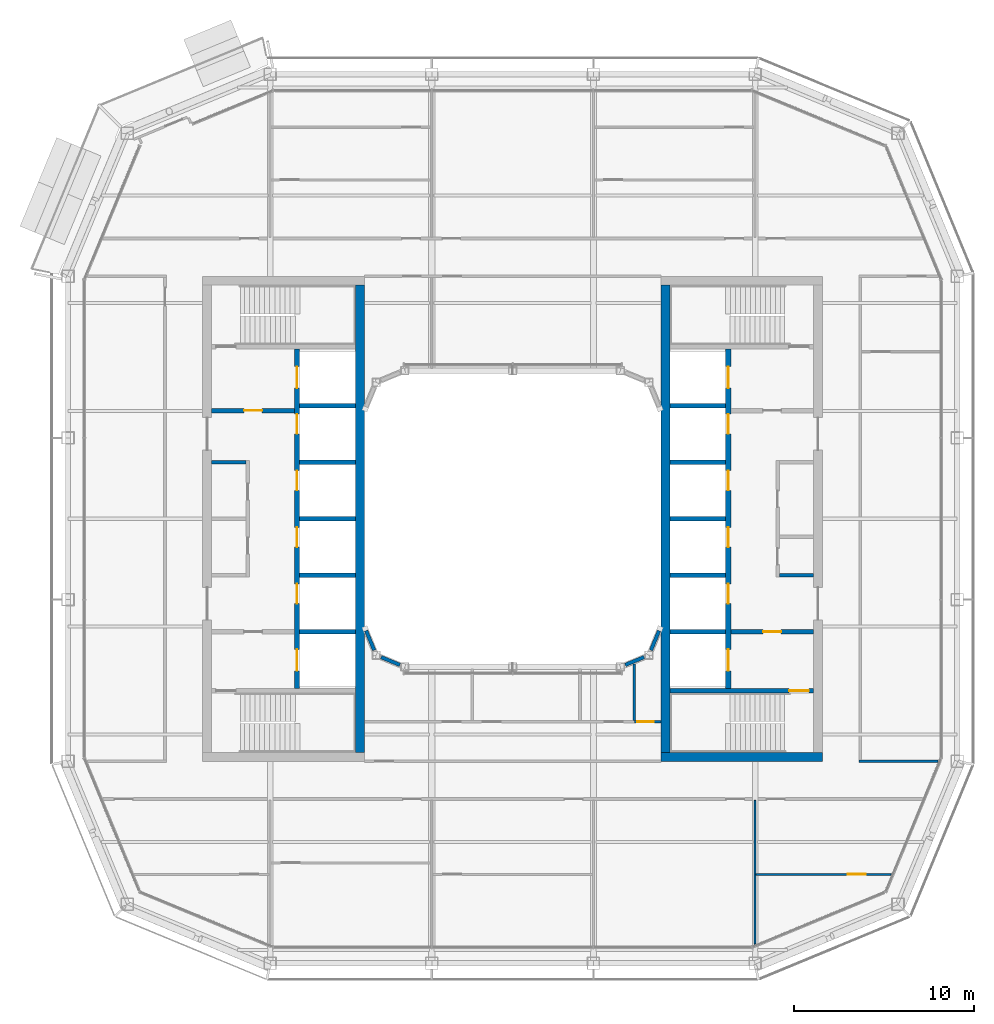
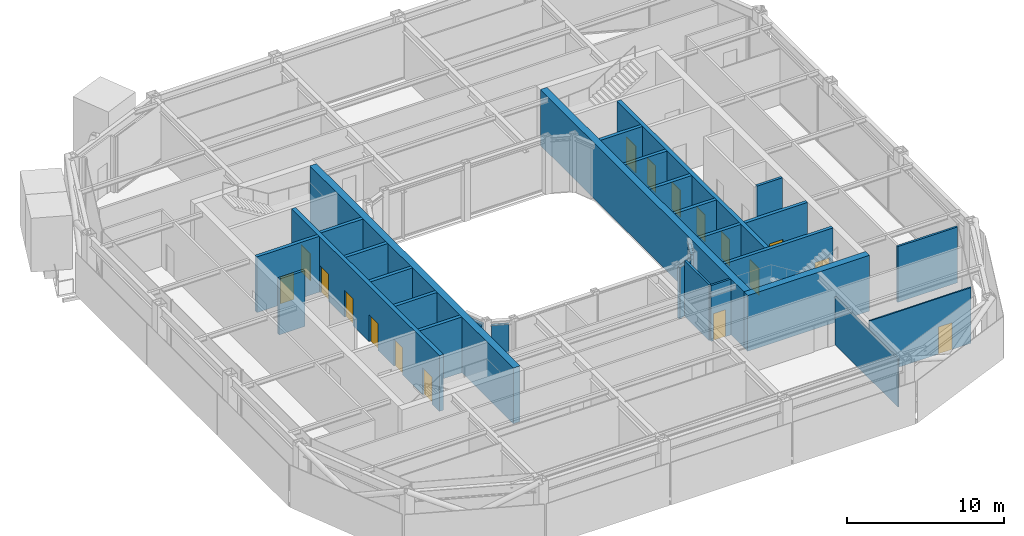
# One storey, part 13 of 22: 29 walls, 17 doors, 17 openings.
"""IFC4 building model written with IfcOpenShell, lengths in metres."""

from ifc_helpers import new_model, si_unit, direction, frame, frame_2d, origin, place, context, subcontext, project, spatial, rectangle, extrude, material, layer, layer_set, type_object, element, fill, save


model = new_model("IFC4")

# Units and contexts
model_context = context("Model", 3, precision=1e-05, world=origin(), true_north=direction((0.0, 1.0)))
body_context = subcontext(model_context, "Body", "Model", "MODEL_VIEW")
ifc_project = project(units=[si_unit("LENGTHUNIT", "METRE"), si_unit("AREAUNIT", "SQUARE_METRE"), si_unit("VOLUMEUNIT", "CUBIC_METRE"), si_unit("PLANEANGLEUNIT", "RADIAN"), si_unit("MASSUNIT", "GRAM", prefix="KILO")], contexts=[model_context])

# Site, building, storey
site_placement = place(None, origin())
site = spatial("IfcSite", under=ifc_project, at=site_placement, CompositionType="ELEMENT")
building_placement = place(site_placement, origin())
building = spatial("IfcBuilding", under=site, at=building_placement, Name="Siwar Civic Tower", CompositionType="ELEMENT")
storey_placement = place(building_placement, frame((0.0, 0.0, 330.199951171875)))
storey = spatial("IfcBuildingStorey", under=building, at=storey_placement, Name="L71", CompositionType="ELEMENT", Elevation=330.199951171875)

# Wall, opening, door
ifc_material_1 = material(Name="Gypsum board on steel studs", Category="steel")
ifc_layer_1 = layer(ifc_material_1, 0.14990234375)
ifc_layer_set_1 = layer_set([ifc_layer_1], Name="Gypsum board on steel studs")
wall_type_1 = type_object("IfcWallType", Name="COMPARTMENT PARTITION 150 EI 60", PredefinedType="PARTITIONING", material=ifc_layer_set_1)
wall_1_placement = place(storey_placement, frame((6.780029296875, -11.300048828125, 0.0), z_axis=(0.0, 0.0, 1.0), x_axis=(1.0, 0.0, 0.0)))
wall_1 = element("IfcWall", 1, at=wall_1_placement, inside=storey, type_object=wall_type_1, Name="L71/wall/P10", PredefinedType="PARTITIONING", context=body_context, shape_type="SweptSolid", body=[
    extrude(rectangle(XDim=1.469970703125, YDim=0.14990234375, at=frame_2d((0.73486328125, 0.0))), origin(), (0.0, 0.0, 1.0), 4.35009765625),
])
opening_1_placement = place(wall_1_placement, frame((0.169921875, 0.0, 0.0)))
opening_1 = element("IfcOpeningElement", 2, at=opening_1_placement, cuts=wall_1, Name="Opening D4", PredefinedType="OPENING", context=body_context, shape_type="SweptSolid", body=[
    extrude(rectangle(XDim=0.89990234375, YDim=2.10009765625, at=frame_2d((0.449951171875, 1.050048828125))), frame((0.0, 0.0849609375, 0.0), z_axis=(0.0, -1.0, 0.0), x_axis=(1.0, 0.0, 0.0)), (0.0, 0.0, 1.0), 0.169921875),
])
ifc_material_2 = material(Name="Timber, painted", Category="wood")
door_type_1 = type_object("IfcDoorType", Name="DOOR 900 X 2100 FD60", OperationType="SINGLE_SWING_LEFT", PredefinedType="DOOR", material=ifc_material_2)
door_1_placement = place(opening_1_placement, origin())
door_1 = element("IfcDoor", 3, at=door_1_placement, inside=storey, type_object=door_type_1, Name="L71-D28", OperationType="SINGLE_SWING_RIGHT", OverallHeight=2.10009765625, OverallWidth=0.89990234375, PredefinedType="DOOR", context=body_context, shape_type="SweptSolid", body=[
    extrude(rectangle(XDim=0.89990234375, YDim=2.10009765625, at=frame_2d((0.449951171875, 1.050048828125))), frame((0.0, 0.02490234375, 0.0), z_axis=(0.0, -1.0, 0.0), x_axis=(1.0, 0.0, 0.0)), (0.0, 0.0, 1.0), 0.050048828125),
])
fill(opening_1, door_1)

# Walls
wall_2_placement = place(storey_placement, frame((6.780029296875, -11.22509765625, 0.0), z_axis=(0.0, 0.0, 1.0), x_axis=(0.0, 1.0, 0.0)))
element("IfcWall", 4, at=wall_2_placement, inside=storey, type_object=wall_type_1, Name="L71/wall/P30", PredefinedType="PARTITIONING", context=body_context, shape_type="SweptSolid", body=[
    extrude(rectangle(XDim=3.13818359375, YDim=0.14990234375, at=frame_2d((1.569091796875, 0.0))), origin(), (0.0, 0.0, 1.0), 4.35009765625),
])
ifc_material_3 = material(Name="Gypsum board on steel studs", Category="steel")
ifc_layer_2 = layer(ifc_material_3, 0.199951171875)
ifc_layer_set_2 = layer_set([ifc_layer_2], Name="Gypsum board on steel studs")
wall_type_2 = type_object("IfcWallType", Name="CORE-PARTITION-200", PredefinedType="PARTITIONING", material=ifc_layer_set_2)
for number, where, z_axis, x_axis, name in (
    (5, (-14.85009765625, 3.14990234375, 0.0), (0.0, 0.0, 1.0), (-1.0, 0.0, 0.0), "Core partition W"),
    (6, (14.85009765625, -3.14990234375, 0.0), (0.0, 0.0, 1.0), (1.0, 0.0, 0.0), "Core partition E"),
):
    element("IfcWall", number, at=place(storey_placement, frame(where, z_axis=z_axis, x_axis=x_axis)), inside=storey, type_object=wall_type_2, Name=name, PredefinedType="PARTITIONING", context=body_context, shape_type="SweptSolid", body=[
        extrude(rectangle(XDim=1.89990234375, YDim=0.199951171875, at=frame_2d((0.949951171875, 0.0))), origin(), (0.0, 0.0, 1.0), 4.35009765625),
    ])

# Wall, opening, door
ifc_material_4 = material(Name="Concrete C60/75", Category="concrete")
ifc_layer_3 = layer(ifc_material_4, 0.25)
ifc_layer_set_3 = layer_set([ifc_layer_3], Name="Concrete C60/75")
wall_type_3 = type_object("IfcWallType", Name="CORE-WALL-RC250", PredefinedType="SHEAR", material=ifc_layer_set_3)
wall_3_placement = place(storey_placement, frame((-12.14990234375, 6.02490234375, 0.0), z_axis=(0.0, 0.0, 1.0), x_axis=(-1.0, 0.0, 0.0)))
wall_3 = element("IfcWall", 7, at=wall_3_placement, inside=storey, type_object=wall_type_3, Name="Core wall W", PredefinedType="SHEAR", context=body_context, shape_type="SweptSolid", body=[
    extrude(rectangle(XDim=4.60009765625, YDim=0.25, at=frame_2d((2.300048828125, 0.0))), origin(), (0.0, 0.0, 1.0), 4.35009765625),
])
opening_2_placement = place(wall_3_placement, frame((1.800048828125, 0.0, 0.0)))
opening_2 = element("IfcOpeningElement", 8, at=opening_2_placement, cuts=wall_3, Name="Opening L71-CW01", PredefinedType="OPENING", context=body_context, shape_type="SweptSolid", body=[
    extrude(rectangle(XDim=1.0, YDim=2.10009765625, at=frame_2d((0.5, 1.050048828125))), frame((0.0, 0.135009765625, 0.0), z_axis=(0.0, -1.0, 0.0), x_axis=(1.0, 0.0, 0.0)), (0.0, 0.0, 1.0), 0.27001953125),
])
ifc_material_5 = material(Name="Steel door leaf", Category="steel")
door_type_2 = type_object("IfcDoorType", Name="CORE-DOOR-FD30S", OperationType="SINGLE_SWING_LEFT", PredefinedType="DOOR", material=ifc_material_5)
door_2_placement = place(opening_2_placement, origin())
door_2 = element("IfcDoor", 9, at=door_2_placement, inside=storey, type_object=door_type_2, Name="Firefighting lobby door L71-CW01", OperationType="SINGLE_SWING_LEFT", OverallHeight=2.10009765625, OverallWidth=1.0, PredefinedType="DOOR", context=body_context, shape_type="SweptSolid", body=[
    extrude(rectangle(XDim=1.0, YDim=2.10009765625, at=frame_2d((0.5, 1.050048828125))), frame((0.0, 0.02490234375, 0.0), z_axis=(0.0, -1.0, 0.0), x_axis=(1.0, 0.0, 0.0)), (0.0, 0.0, 1.0), 0.050048828125),
])
fill(opening_2, door_2)

# Walls
for number, where, z_axis, x_axis, name in (
    (10, (-8.75, 0.0, 0.0), (0.0, 0.0, 1.0), (-1.0, 0.0, 0.0), "Core wall W"),
    (11, (-8.75, 3.14990234375, 0.0), (0.0, 0.0, 1.0), (-1.0, 0.0, 0.0), "Core wall W"),
    (12, (-8.75, 6.300048828125, 0.0), (0.0, 0.0, 1.0), (-1.0, 0.0, 0.0), "Core wall W"),
    (13, (-8.75, -3.14990234375, 0.0), (0.0, 0.0, 1.0), (-1.0, 0.0, 0.0), "Core wall W"),
    (14, (-8.75, -6.300048828125, 0.0), (0.0, 0.0, 1.0), (-1.0, 0.0, 0.0), "Core wall W"),
):
    element("IfcWall", number, at=place(storey_placement, frame(where, z_axis=z_axis, x_axis=x_axis)), inside=storey, type_object=wall_type_3, Name=name, PredefinedType="SHEAR", context=body_context, shape_type="SweptSolid", body=[
        extrude(rectangle(XDim=3.10009765625, YDim=0.25, at=frame_2d((1.550048828125, 0.0))), origin(), (0.0, 0.0, 1.0), 4.35009765625),
    ])

# Wall, opening, door
wall_4_placement = place(storey_placement, frame((12.14990234375, -6.300048828125, 0.0), z_axis=(0.0, 0.0, 1.0), x_axis=(1.0, 0.0, 0.0)))
wall_4 = element("IfcWall", 15, at=wall_4_placement, inside=storey, type_object=wall_type_3, Name="Core wall E", PredefinedType="SHEAR", context=body_context, shape_type="SweptSolid", body=[
    extrude(rectangle(XDim=4.60009765625, YDim=0.25, at=frame_2d((2.300048828125, 0.0))), origin(), (0.0, 0.0, 1.0), 4.35009765625),
])
opening_3_placement = place(wall_4_placement, frame((1.800048828125, 0.0, 0.0)))
opening_3 = element("IfcOpeningElement", 16, at=opening_3_placement, cuts=wall_4, Name="Opening L71-CE02", PredefinedType="OPENING", context=body_context, shape_type="SweptSolid", body=[
    extrude(rectangle(XDim=1.0, YDim=2.10009765625, at=frame_2d((0.5, 1.050048828125))), frame((0.0, 0.135009765625, 0.0), z_axis=(0.0, -1.0, 0.0), x_axis=(1.0, 0.0, 0.0)), (0.0, 0.0, 1.0), 0.27001953125),
])
door_3_placement = place(opening_3_placement, origin())
door_3 = element("IfcDoor", 17, at=door_3_placement, inside=storey, type_object=door_type_2, Name="Service lobby door L71-CE02", OperationType="SINGLE_SWING_LEFT", OverallHeight=2.10009765625, OverallWidth=1.0, PredefinedType="DOOR", context=body_context, shape_type="SweptSolid", body=[
    extrude(rectangle(XDim=1.0, YDim=2.10009765625, at=frame_2d((0.5, 1.050048828125))), frame((0.0, 0.02490234375, 0.0), z_axis=(0.0, -1.0, 0.0), x_axis=(1.0, 0.0, 0.0)), (0.0, 0.0, 1.0), 0.050048828125),
])
fill(opening_3, door_3)

# Walls
for number, where, z_axis, x_axis, name in (
    (18, (8.75, 0.0, 0.0), (0.0, 0.0, 1.0), (1.0, 0.0, 0.0), "Core wall E"),
    (19, (8.75, 3.14990234375, 0.0), (0.0, 0.0, 1.0), (1.0, 0.0, 0.0), "Core wall E"),
    (20, (8.75, 6.300048828125, 0.0), (0.0, 0.0, 1.0), (1.0, 0.0, 0.0), "Core wall E"),
    (21, (8.75, -3.14990234375, 0.0), (0.0, 0.0, 1.0), (1.0, 0.0, 0.0), "Core wall E"),
    (22, (8.75, -6.300048828125, 0.0), (0.0, 0.0, 1.0), (1.0, 0.0, 0.0), "Core wall E"),
):
    element("IfcWall", number, at=place(storey_placement, frame(where, z_axis=z_axis, x_axis=x_axis)), inside=storey, type_object=wall_type_3, Name=name, PredefinedType="SHEAR", context=body_context, shape_type="SweptSolid", body=[
        extrude(rectangle(XDim=3.10009765625, YDim=0.25, at=frame_2d((1.550048828125, 0.0))), origin(), (0.0, 0.0, 1.0), 4.35009765625),
    ])

# Wall, opening, door
wall_5_placement = place(storey_placement, frame((8.75, -9.574951171875, 0.0), z_axis=(0.0, 0.0, 1.0), x_axis=(1.0, 0.0, 0.0)))
wall_5 = element("IfcWall", 23, at=wall_5_placement, inside=storey, type_object=wall_type_3, Name="Core wall E", PredefinedType="SHEAR", context=body_context, shape_type="SweptSolid", body=[
    extrude(rectangle(XDim=8.0, YDim=0.25, at=frame_2d((4.0, 0.0))), origin(), (0.0, 0.0, 1.0), 4.35009765625),
])
opening_4_placement = place(wall_5_placement, frame((6.64990234375, 0.0, 0.0)))
opening_4 = element("IfcOpeningElement", 24, at=opening_4_placement, cuts=wall_5, Name="Opening L71-CE04", PredefinedType="OPENING", context=body_context, shape_type="SweptSolid", body=[
    extrude(rectangle(XDim=1.10009765625, YDim=2.10009765625, at=frame_2d((0.550048828125, 1.050048828125))), frame((0.0, 0.135009765625, 0.0), z_axis=(0.0, -1.0, 0.0), x_axis=(1.0, 0.0, 0.0)), (0.0, 0.0, 1.0), 0.27001953125),
])
ifc_material_6 = material(Name="Steel door leaf", Category="steel")
door_type_3 = type_object("IfcDoorType", Name="CORE-DOOR-FD60S", OperationType="SINGLE_SWING_LEFT", PredefinedType="DOOR", material=ifc_material_6)
door_4_placement = place(opening_4_placement, origin())
door_4 = element("IfcDoor", 25, at=door_4_placement, inside=storey, type_object=door_type_3, Name="Stair door L71-CE04", OperationType="SINGLE_SWING_RIGHT", OverallHeight=2.10009765625, OverallWidth=1.10009765625, PredefinedType="DOOR", context=body_context, shape_type="SweptSolid", body=[
    extrude(rectangle(XDim=1.10009765625, YDim=2.10009765625, at=frame_2d((0.550048828125, 1.050048828125))), frame((0.0, 0.02490234375, 0.0), z_axis=(0.0, -1.0, 0.0), x_axis=(1.0, 0.0, 0.0)), (0.0, 0.0, 1.0), 0.050048828125),
])
fill(opening_4, door_4)

# Wall, openings, doors
ifc_material_7 = material(Name="Concrete C60/75", Category="concrete")
ifc_layer_4 = layer(ifc_material_7, 0.300048828125)
ifc_layer_set_4 = layer_set([ifc_layer_4], Name="Concrete C60/75")
wall_type_4 = type_object("IfcWallType", Name="CORE-WALL-RC300", PredefinedType="SHEAR", material=ifc_layer_set_4)
wall_6_placement = place(storey_placement, frame((-12.0, -9.449951171875, 0.0), z_axis=(0.0, 0.0, 1.0), x_axis=(0.0, 1.0, 0.0)))
wall_6 = element("IfcWall", 26, at=wall_6_placement, inside=storey, type_object=wall_type_4, Name="Core wall W", PredefinedType="SHEAR", context=body_context, shape_type="SweptSolid", body=[
    extrude(rectangle(XDim=18.89990234375, YDim=0.300048828125, at=frame_2d((9.449951171875, 0.0))), origin(), (0.0, 0.0, 1.0), 4.35009765625),
])
opening_5_placement = place(wall_6_placement, frame((4.72509765625, 0.0, 0.0)))
opening_5 = element("IfcOpeningElement", 27, at=opening_5_placement, cuts=wall_6, Name="Opening L71-CW07", PredefinedType="OPENING", context=body_context, shape_type="SweptSolid", body=[
    extrude(rectangle(XDim=1.10009765625, YDim=2.10009765625, at=frame_2d((0.550048828125, 1.050048828125))), frame((0.0, 0.16015625, 0.0), z_axis=(0.0, -1.0, 0.0), x_axis=(1.0, 0.0, 0.0)), (0.0, 0.0, 1.0), 0.320068359375),
])
opening_6_placement = place(wall_6_placement, frame((7.875, 0.0, 0.0)))
opening_6 = element("IfcOpeningElement", 28, at=opening_6_placement, cuts=wall_6, Name="Opening L71-CW08", PredefinedType="OPENING", context=body_context, shape_type="SweptSolid", body=[
    extrude(rectangle(XDim=1.10009765625, YDim=2.10009765625, at=frame_2d((0.550048828125, 1.050048828125))), frame((0.0, 0.16015625, 0.0), z_axis=(0.0, -1.0, 0.0), x_axis=(1.0, 0.0, 0.0)), (0.0, 0.0, 1.0), 0.320068359375),
])
opening_7_placement = place(wall_6_placement, frame((11.02490234375, 0.0, 0.0)))
opening_7 = element("IfcOpeningElement", 29, at=opening_7_placement, cuts=wall_6, Name="Opening L71-CW09", PredefinedType="OPENING", context=body_context, shape_type="SweptSolid", body=[
    extrude(rectangle(XDim=1.10009765625, YDim=2.10009765625, at=frame_2d((0.550048828125, 1.050048828125))), frame((0.0, 0.16015625, 0.0), z_axis=(0.0, -1.0, 0.0), x_axis=(1.0, 0.0, 0.0)), (0.0, 0.0, 1.0), 0.320068359375),
])
opening_8_placement = place(wall_6_placement, frame((14.175048828125, 0.0, 0.0)))
opening_8 = element("IfcOpeningElement", 30, at=opening_8_placement, cuts=wall_6, Name="Opening L71-CW10", PredefinedType="OPENING", context=body_context, shape_type="SweptSolid", body=[
    extrude(rectangle(XDim=1.10009765625, YDim=2.10009765625, at=frame_2d((0.550048828125, 1.050048828125))), frame((0.0, 0.16015625, 0.0), z_axis=(0.0, -1.0, 0.0), x_axis=(1.0, 0.0, 0.0)), (0.0, 0.0, 1.0), 0.320068359375),
])
opening_9_placement = place(wall_6_placement, frame((16.72509765625, 0.0, 0.0)))
opening_9 = element("IfcOpeningElement", 31, at=opening_9_placement, cuts=wall_6, Name="Opening L71-CW11", PredefinedType="OPENING", context=body_context, shape_type="SweptSolid", body=[
    extrude(rectangle(XDim=1.199951171875, YDim=2.10009765625, at=frame_2d((0.60009765625, 1.050048828125))), frame((0.0, 0.16015625, 0.0), z_axis=(0.0, -1.0, 0.0), x_axis=(1.0, 0.0, 0.0)), (0.0, 0.0, 1.0), 0.320068359375),
])
opening_10_placement = place(wall_6_placement, frame((0.97509765625, 0.0, 0.0)))
opening_10 = element("IfcOpeningElement", 32, at=opening_10_placement, cuts=wall_6, Name="Opening L71-CW12", PredefinedType="OPENING", context=body_context, shape_type="SweptSolid", body=[
    extrude(rectangle(XDim=1.199951171875, YDim=2.10009765625, at=frame_2d((0.60009765625, 1.050048828125))), frame((0.0, 0.16015625, 0.0), z_axis=(0.0, -1.0, 0.0), x_axis=(1.0, 0.0, 0.0)), (0.0, 0.0, 1.0), 0.320068359375),
])
ifc_material_8 = material(Name="Steel door leaf", Category="steel")
door_type_4 = type_object("IfcDoorType", Name="CORE-DOOR-LD", OperationType="DOUBLE_DOOR_SLIDING", PredefinedType="DOOR", material=ifc_material_8)
door_5_placement = place(opening_5_placement, origin())
door_5 = element("IfcDoor", 33, at=door_5_placement, inside=storey, type_object=door_type_4, Name="Landing door HR1 L71-CW07", OperationType="DOUBLE_DOOR_SLIDING", OverallHeight=2.10009765625, OverallWidth=1.10009765625, PredefinedType="DOOR", context=body_context, shape_type="SweptSolid", body=[
    extrude(rectangle(XDim=1.10009765625, YDim=2.10009765625, at=frame_2d((0.550048828125, 1.050048828125))), frame((0.0, 0.02490234375, 0.0), z_axis=(0.0, -1.0, 0.0), x_axis=(1.0, 0.0, 0.0)), (0.0, 0.0, 1.0), 0.050048828125),
])
fill(opening_5, door_5)
door_6_placement = place(opening_6_placement, origin())
door_6 = element("IfcDoor", 34, at=door_6_placement, inside=storey, type_object=door_type_4, Name="Landing door HR2 L71-CW08", OperationType="DOUBLE_DOOR_SLIDING", OverallHeight=2.10009765625, OverallWidth=1.10009765625, PredefinedType="DOOR", context=body_context, shape_type="SweptSolid", body=[
    extrude(rectangle(XDim=1.10009765625, YDim=2.10009765625, at=frame_2d((0.550048828125, 1.050048828125))), frame((0.0, 0.02490234375, 0.0), z_axis=(0.0, -1.0, 0.0), x_axis=(1.0, 0.0, 0.0)), (0.0, 0.0, 1.0), 0.050048828125),
])
fill(opening_6, door_6)
door_7_placement = place(opening_7_placement, origin())
door_7 = element("IfcDoor", 35, at=door_7_placement, inside=storey, type_object=door_type_4, Name="Landing door HR3 L71-CW09", OperationType="DOUBLE_DOOR_SLIDING", OverallHeight=2.10009765625, OverallWidth=1.10009765625, PredefinedType="DOOR", context=body_context, shape_type="SweptSolid", body=[
    extrude(rectangle(XDim=1.10009765625, YDim=2.10009765625, at=frame_2d((0.550048828125, 1.050048828125))), frame((0.0, 0.02490234375, 0.0), z_axis=(0.0, -1.0, 0.0), x_axis=(1.0, 0.0, 0.0)), (0.0, 0.0, 1.0), 0.050048828125),
])
fill(opening_7, door_7)
door_8_placement = place(opening_8_placement, origin())
door_8 = element("IfcDoor", 36, at=door_8_placement, inside=storey, type_object=door_type_4, Name="Landing door HR4 L71-CW10", OperationType="DOUBLE_DOOR_SLIDING", OverallHeight=2.10009765625, OverallWidth=1.10009765625, PredefinedType="DOOR", context=body_context, shape_type="SweptSolid", body=[
    extrude(rectangle(XDim=1.10009765625, YDim=2.10009765625, at=frame_2d((0.550048828125, 1.050048828125))), frame((0.0, 0.02490234375, 0.0), z_axis=(0.0, -1.0, 0.0), x_axis=(1.0, 0.0, 0.0)), (0.0, 0.0, 1.0), 0.050048828125),
])
fill(opening_8, door_8)
ifc_material_9 = material(Name="Steel door leaf", Category="steel")
door_type_5 = type_object("IfcDoorType", Name="CORE-DOOR-LDW", OperationType="DOUBLE_DOOR_SLIDING", PredefinedType="DOOR", material=ifc_material_9)
door_9_placement = place(opening_9_placement, origin())
door_9 = element("IfcDoor", 37, at=door_9_placement, inside=storey, type_object=door_type_5, Name="Landing door FF1 L71-CW11", OperationType="DOUBLE_DOOR_SLIDING", OverallHeight=2.10009765625, OverallWidth=1.199951171875, PredefinedType="DOOR", context=body_context, shape_type="SweptSolid", body=[
    extrude(rectangle(XDim=1.199951171875, YDim=2.10009765625, at=frame_2d((0.60009765625, 1.050048828125))), frame((0.0, 0.02490234375, 0.0), z_axis=(0.0, -1.0, 0.0), x_axis=(1.0, 0.0, 0.0)), (0.0, 0.0, 1.0), 0.050048828125),
])
fill(opening_9, door_9)
door_10_placement = place(opening_10_placement, origin())
door_10 = element("IfcDoor", 38, at=door_10_placement, inside=storey, type_object=door_type_5, Name="Landing door SV1 L71-CW12", OperationType="DOUBLE_DOOR_SLIDING", OverallHeight=2.10009765625, OverallWidth=1.199951171875, PredefinedType="DOOR", context=body_context, shape_type="SweptSolid", body=[
    extrude(rectangle(XDim=1.199951171875, YDim=2.10009765625, at=frame_2d((0.60009765625, 1.050048828125))), frame((0.0, 0.02490234375, 0.0), z_axis=(0.0, -1.0, 0.0), x_axis=(1.0, 0.0, 0.0)), (0.0, 0.0, 1.0), 0.050048828125),
])
fill(opening_10, door_10)

wall_7_placement = place(storey_placement, frame((12.0, -9.449951171875, 0.0), z_axis=(0.0, 0.0, 1.0), x_axis=(0.0, 1.0, 0.0)))
wall_7 = element("IfcWall", 39, at=wall_7_placement, inside=storey, type_object=wall_type_4, Name="Core wall E", PredefinedType="SHEAR", context=body_context, shape_type="SweptSolid", body=[
    extrude(rectangle(XDim=18.89990234375, YDim=0.300048828125, at=frame_2d((9.449951171875, 0.0))), origin(), (0.0, 0.0, 1.0), 4.35009765625),
])
opening_11_placement = place(wall_7_placement, frame((4.72509765625, 0.0, 0.0)))
opening_11 = element("IfcOpeningElement", 40, at=opening_11_placement, cuts=wall_7, Name="Opening L71-CE07", PredefinedType="OPENING", context=body_context, shape_type="SweptSolid", body=[
    extrude(rectangle(XDim=1.10009765625, YDim=2.10009765625, at=frame_2d((0.550048828125, 1.050048828125))), frame((0.0, 0.16015625, 0.0), z_axis=(0.0, -1.0, 0.0), x_axis=(1.0, 0.0, 0.0)), (0.0, 0.0, 1.0), 0.320068359375),
])
opening_12_placement = place(wall_7_placement, frame((7.875, 0.0, 0.0)))
opening_12 = element("IfcOpeningElement", 41, at=opening_12_placement, cuts=wall_7, Name="Opening L71-CE08", PredefinedType="OPENING", context=body_context, shape_type="SweptSolid", body=[
    extrude(rectangle(XDim=1.10009765625, YDim=2.10009765625, at=frame_2d((0.550048828125, 1.050048828125))), frame((0.0, 0.16015625, 0.0), z_axis=(0.0, -1.0, 0.0), x_axis=(1.0, 0.0, 0.0)), (0.0, 0.0, 1.0), 0.320068359375),
])
opening_13_placement = place(wall_7_placement, frame((11.02490234375, 0.0, 0.0)))
opening_13 = element("IfcOpeningElement", 42, at=opening_13_placement, cuts=wall_7, Name="Opening L71-CE09", PredefinedType="OPENING", context=body_context, shape_type="SweptSolid", body=[
    extrude(rectangle(XDim=1.10009765625, YDim=2.10009765625, at=frame_2d((0.550048828125, 1.050048828125))), frame((0.0, 0.16015625, 0.0), z_axis=(0.0, -1.0, 0.0), x_axis=(1.0, 0.0, 0.0)), (0.0, 0.0, 1.0), 0.320068359375),
])
opening_14_placement = place(wall_7_placement, frame((14.175048828125, 0.0, 0.0)))
opening_14 = element("IfcOpeningElement", 43, at=opening_14_placement, cuts=wall_7, Name="Opening L71-CE10", PredefinedType="OPENING", context=body_context, shape_type="SweptSolid", body=[
    extrude(rectangle(XDim=1.10009765625, YDim=2.10009765625, at=frame_2d((0.550048828125, 1.050048828125))), frame((0.0, 0.16015625, 0.0), z_axis=(0.0, -1.0, 0.0), x_axis=(1.0, 0.0, 0.0)), (0.0, 0.0, 1.0), 0.320068359375),
])
opening_15_placement = place(wall_7_placement, frame((16.72509765625, 0.0, 0.0)))
opening_15 = element("IfcOpeningElement", 44, at=opening_15_placement, cuts=wall_7, Name="Opening L71-CE11", PredefinedType="OPENING", context=body_context, shape_type="SweptSolid", body=[
    extrude(rectangle(XDim=1.199951171875, YDim=2.10009765625, at=frame_2d((0.60009765625, 1.050048828125))), frame((0.0, 0.16015625, 0.0), z_axis=(0.0, -1.0, 0.0), x_axis=(1.0, 0.0, 0.0)), (0.0, 0.0, 1.0), 0.320068359375),
])
opening_16_placement = place(wall_7_placement, frame((0.97509765625, 0.0, 0.0)))
opening_16 = element("IfcOpeningElement", 45, at=opening_16_placement, cuts=wall_7, Name="Opening L71-CE12", PredefinedType="OPENING", context=body_context, shape_type="SweptSolid", body=[
    extrude(rectangle(XDim=1.199951171875, YDim=2.10009765625, at=frame_2d((0.60009765625, 1.050048828125))), frame((0.0, 0.16015625, 0.0), z_axis=(0.0, -1.0, 0.0), x_axis=(1.0, 0.0, 0.0)), (0.0, 0.0, 1.0), 0.320068359375),
])
door_11_placement = place(opening_11_placement, origin())
door_11 = element("IfcDoor", 46, at=door_11_placement, inside=storey, type_object=door_type_4, Name="Landing door HR5 L71-CE07", OperationType="DOUBLE_DOOR_SLIDING", OverallHeight=2.10009765625, OverallWidth=1.10009765625, PredefinedType="DOOR", context=body_context, shape_type="SweptSolid", body=[
    extrude(rectangle(XDim=1.10009765625, YDim=2.10009765625, at=frame_2d((0.550048828125, 1.050048828125))), frame((0.0, 0.02490234375, 0.0), z_axis=(0.0, -1.0, 0.0), x_axis=(1.0, 0.0, 0.0)), (0.0, 0.0, 1.0), 0.050048828125),
])
fill(opening_11, door_11)
door_12_placement = place(opening_12_placement, origin())
door_12 = element("IfcDoor", 47, at=door_12_placement, inside=storey, type_object=door_type_4, Name="Landing door HR6 L71-CE08", OperationType="DOUBLE_DOOR_SLIDING", OverallHeight=2.10009765625, OverallWidth=1.10009765625, PredefinedType="DOOR", context=body_context, shape_type="SweptSolid", body=[
    extrude(rectangle(XDim=1.10009765625, YDim=2.10009765625, at=frame_2d((0.550048828125, 1.050048828125))), frame((0.0, 0.02490234375, 0.0), z_axis=(0.0, -1.0, 0.0), x_axis=(1.0, 0.0, 0.0)), (0.0, 0.0, 1.0), 0.050048828125),
])
fill(opening_12, door_12)
door_13_placement = place(opening_13_placement, origin())
door_13 = element("IfcDoor", 48, at=door_13_placement, inside=storey, type_object=door_type_4, Name="Landing door HR7 L71-CE09", OperationType="DOUBLE_DOOR_SLIDING", OverallHeight=2.10009765625, OverallWidth=1.10009765625, PredefinedType="DOOR", context=body_context, shape_type="SweptSolid", body=[
    extrude(rectangle(XDim=1.10009765625, YDim=2.10009765625, at=frame_2d((0.550048828125, 1.050048828125))), frame((0.0, 0.02490234375, 0.0), z_axis=(0.0, -1.0, 0.0), x_axis=(1.0, 0.0, 0.0)), (0.0, 0.0, 1.0), 0.050048828125),
])
fill(opening_13, door_13)
door_14_placement = place(opening_14_placement, origin())
door_14 = element("IfcDoor", 49, at=door_14_placement, inside=storey, type_object=door_type_4, Name="Landing door HR8 L71-CE10", OperationType="DOUBLE_DOOR_SLIDING", OverallHeight=2.10009765625, OverallWidth=1.10009765625, PredefinedType="DOOR", context=body_context, shape_type="SweptSolid", body=[
    extrude(rectangle(XDim=1.10009765625, YDim=2.10009765625, at=frame_2d((0.550048828125, 1.050048828125))), frame((0.0, 0.02490234375, 0.0), z_axis=(0.0, -1.0, 0.0), x_axis=(1.0, 0.0, 0.0)), (0.0, 0.0, 1.0), 0.050048828125),
])
fill(opening_14, door_14)
door_15_placement = place(opening_15_placement, origin())
door_15 = element("IfcDoor", 50, at=door_15_placement, inside=storey, type_object=door_type_5, Name="Landing door FF2 L71-CE11", OperationType="DOUBLE_DOOR_SLIDING", OverallHeight=2.10009765625, OverallWidth=1.199951171875, PredefinedType="DOOR", context=body_context, shape_type="SweptSolid", body=[
    extrude(rectangle(XDim=1.199951171875, YDim=2.10009765625, at=frame_2d((0.60009765625, 1.050048828125))), frame((0.0, 0.02490234375, 0.0), z_axis=(0.0, -1.0, 0.0), x_axis=(1.0, 0.0, 0.0)), (0.0, 0.0, 1.0), 0.050048828125),
])
fill(opening_15, door_15)
door_16_placement = place(opening_16_placement, origin())
door_16 = element("IfcDoor", 51, at=door_16_placement, inside=storey, type_object=door_type_5, Name="Landing door SV2 L71-CE12", OperationType="DOUBLE_DOOR_SLIDING", OverallHeight=2.10009765625, OverallWidth=1.199951171875, PredefinedType="DOOR", context=body_context, shape_type="SweptSolid", body=[
    extrude(rectangle(XDim=1.199951171875, YDim=2.10009765625, at=frame_2d((0.60009765625, 1.050048828125))), frame((0.0, 0.02490234375, 0.0), z_axis=(0.0, -1.0, 0.0), x_axis=(1.0, 0.0, 0.0)), (0.0, 0.0, 1.0), 0.050048828125),
])
fill(opening_16, door_16)

# Walls
ifc_material_10 = material(Name="Concrete C60/75", Category="concrete")
ifc_layer_5 = layer(ifc_material_10, 0.5)
ifc_layer_set_5 = layer_set([ifc_layer_5], Name="Concrete C60/75")
wall_type_5 = type_object("IfcWallType", Name="CORE-WALL-RC500", PredefinedType="SHEAR", material=ifc_layer_set_5)
wall_8_placement = place(storey_placement, frame((8.25, -13.25, 0.0), z_axis=(0.0, 0.0, 1.0), x_axis=(1.0, 0.0, 0.0)))
element("IfcWall", 52, at=wall_8_placement, inside=storey, type_object=wall_type_5, Name="Core wall E", PredefinedType="SHEAR", context=body_context, shape_type="SweptSolid", body=[
    extrude(rectangle(XDim=9.0, YDim=0.5, at=frame_2d((4.5, 0.0))), origin(), (0.0, 0.0, 1.0), 4.35009765625),
])
ifc_material_11 = material(Name="Concrete C60/75", Category="concrete")
ifc_layer_6 = layer(ifc_material_11, 0.5)
ifc_layer_set_6 = layer_set([ifc_layer_6], Name="Concrete C60/75")
wall_type_6 = type_object("IfcWallType", Name="CORE-WALL-RC500-EXT", PredefinedType="SHEAR", material=ifc_layer_set_6)
for number, where, z_axis, x_axis, name in (
    (53, (-8.5, -13.0, 0.0), (0.0, 0.0, 1.0), (0.0, 1.0, 0.0), "Core wall W"),
    (54, (8.5, -13.0, 0.0), (0.0, 0.0, 1.0), (0.0, 1.0, 0.0), "Core wall E"),
):
    element("IfcWall", number, at=place(storey_placement, frame(where, z_axis=z_axis, x_axis=x_axis)), inside=storey, type_object=wall_type_6, Name=name, PredefinedType="SHEAR", context=body_context, shape_type="SweptSolid", body=[
        extrude(rectangle(XDim=26.0, YDim=0.5, at=frame_2d((13.0, 0.0))), origin(), (0.0, 0.0, 1.0), 4.35009765625),
    ])
ifc_material_12 = material(Name="Gypsum board on steel studs", Category="steel")
ifc_layer_7 = layer(ifc_material_12, 0.14990234375)
ifc_layer_set_7 = layer_set([ifc_layer_7], Name="Gypsum board on steel studs")
wall_type_7 = type_object("IfcWallType", Name="CORRIDOR PARTITION 150 EI 30", PredefinedType="PARTITIONING", material=ifc_layer_set_7)
wall_9_placement = place(storey_placement, frame((19.27490234375, -13.5, 0.0), z_axis=(0.0, 0.0, 1.0), x_axis=(1.0, 0.0, 0.0)))
element("IfcWall", 55, at=wall_9_placement, inside=storey, type_object=wall_type_7, Name="L71/wall/P08", PredefinedType="PARTITIONING", context=body_context, shape_type="SweptSolid", body=[
    extrude(rectangle(XDim=4.403076171875, YDim=0.14990234375, at=frame_2d((2.20166015625, 0.0))), origin(), (0.0, 0.0, 1.0), 4.35009765625),
])
ifc_material_13 = material(Name="Aluminium clad insulated panel", Category="aluminium")
ifc_layer_8 = layer(ifc_material_13, 0.199951171875)
ifc_layer_set_8 = layer_set([ifc_layer_8], Name="Aluminium clad insulated panel")
wall_type_8 = type_object("IfcWallType", Name="ENV-WALL-WELL", PredefinedType="STANDARD", material=ifc_layer_set_8)
wall_10_placement = place(storey_placement, frame((6.271484375, -8.137451171875, 0.0), z_axis=(0.0, 0.0, 1.0), x_axis=(0.923864661962, 0.382719331074, 0.0)))
element("IfcWall", 56, at=wall_10_placement, inside=storey, type_object=wall_type_8, Name="Light well corner wall SE1", PredefinedType="STANDARD", context=body_context, shape_type="SweptSolid", body=[
    extrude(rectangle(XDim=1.13427734375, YDim=0.199951171875, at=frame_2d((0.567138671875, 0.0))), origin(), (0.0, 0.0, 1.0), 4.010009765625),
])
for number, where, z_axis, x_axis, name in (
    (57, (7.703369140625, -7.3193359375, 0.0), (0.0, 0.0, 1.0), (0.382760542083, 0.92384758885, 0.0), "Light well corner wall SE2"),
    (58, (-8.154296875, -6.23095703125, 0.0), (0.0, 0.0, 1.0), (0.382760542083, -0.92384758885, 0.0), "Light well corner wall SW1"),
):
    element("IfcWall", number, at=place(storey_placement, frame(where, z_axis=z_axis, x_axis=x_axis)), inside=storey, type_object=wall_type_8, Name=name, PredefinedType="STANDARD", context=body_context, shape_type="SweptSolid", body=[
        extrude(rectangle(XDim=1.177978515625, YDim=0.199951171875, at=frame_2d((0.5888671875, 0.0))), origin(), (0.0, 0.0, 1.0), 4.010009765625),
    ])
wall_11_placement = place(storey_placement, frame((-7.3193359375, -7.703369140625, 0.0), z_axis=(0.0, 0.0, 1.0), x_axis=(0.923864661962, -0.382719331074, 0.0)))
element("IfcWall", 59, at=wall_11_placement, inside=storey, type_object=wall_type_8, Name="Light well corner wall SW2", PredefinedType="STANDARD", context=body_context, shape_type="SweptSolid", body=[
    extrude(rectangle(XDim=1.13427734375, YDim=0.199951171875, at=frame_2d((0.567138671875, 0.0))), origin(), (0.0, 0.0, 1.0), 4.010009765625),
])

# Wall, opening, door
ifc_material_14 = material(Name="Gypsum board on steel studs", Category="steel")
ifc_layer_9 = layer(ifc_material_14, 0.10009765625)
ifc_layer_set_9 = layer_set([ifc_layer_9], Name="Gypsum board on steel studs")
wall_type_9 = type_object("IfcWallType", Name="PARTITION 100 GYPSUM", PredefinedType="PARTITIONING", material=ifc_layer_set_9)
wall_12_placement = place(storey_placement, frame((13.550048828125, -19.800048828125, 0.0), z_axis=(0.0, 0.0, 1.0), x_axis=(1.0, 0.0, 0.0)))
wall_12 = element("IfcWall", 60, at=wall_12_placement, inside=storey, type_object=wall_type_9, Name="L71/wall/P03", PredefinedType="PARTITIONING", context=body_context, shape_type="SweptSolid", body=[
    extrude(rectangle(XDim=7.51904296875, YDim=0.10009765625, at=frame_2d((3.759521484375, 0.0))), origin(), (0.0, 0.0, 1.0), 4.35009765625),
])
opening_17_placement = place(wall_12_placement, frame((5.10009765625, 0.0, 0.0)))
opening_17 = element("IfcOpeningElement", 61, at=opening_17_placement, cuts=wall_12, Name="Opening D2", PredefinedType="OPENING", context=body_context, shape_type="SweptSolid", body=[
    extrude(rectangle(XDim=1.0, YDim=2.10009765625, at=frame_2d((0.5, 1.050048828125))), frame((0.0, 0.06005859375, 0.0), z_axis=(0.0, -1.0, 0.0), x_axis=(1.0, 0.0, 0.0)), (0.0, 0.0, 1.0), 0.1201171875),
])
ifc_material_15 = material(Name="Timber, painted", Category="wood")
door_type_6 = type_object("IfcDoorType", Name="DOOR 1000 X 2100", OperationType="SINGLE_SWING_LEFT", PredefinedType="DOOR", material=ifc_material_15)
door_17_placement = place(opening_17_placement, origin())
door_17 = element("IfcDoor", 62, at=door_17_placement, inside=storey, type_object=door_type_6, Name="L71-D18", OperationType="SINGLE_SWING_RIGHT", OverallHeight=2.10009765625, OverallWidth=1.0, PredefinedType="DOOR", context=body_context, shape_type="SweptSolid", body=[
    extrude(rectangle(XDim=1.0, YDim=2.10009765625, at=frame_2d((0.5, 1.050048828125))), frame((0.0, 0.02490234375, 0.0), z_axis=(0.0, -1.0, 0.0), x_axis=(1.0, 0.0, 0.0)), (0.0, 0.0, 1.0), 0.050048828125),
])
fill(opening_17, door_17)

# Wall
wall_13_placement = place(storey_placement, frame((13.5, -23.677978515625, 0.0), z_axis=(0.0, 0.0, 1.0), x_axis=(0.0, 1.0, 0.0)))
element("IfcWall", 63, at=wall_13_placement, inside=storey, type_object=wall_type_9, Name="L71/wall/P31", PredefinedType="PARTITIONING", context=body_context, shape_type="SweptSolid", body=[
    extrude(rectangle(XDim=8.0029296875, YDim=0.10009765625, at=frame_2d((4.00146484375, 0.0))), origin(), (0.0, 0.0, 1.0), 3.75),
])

save(model, "model.ifc")
